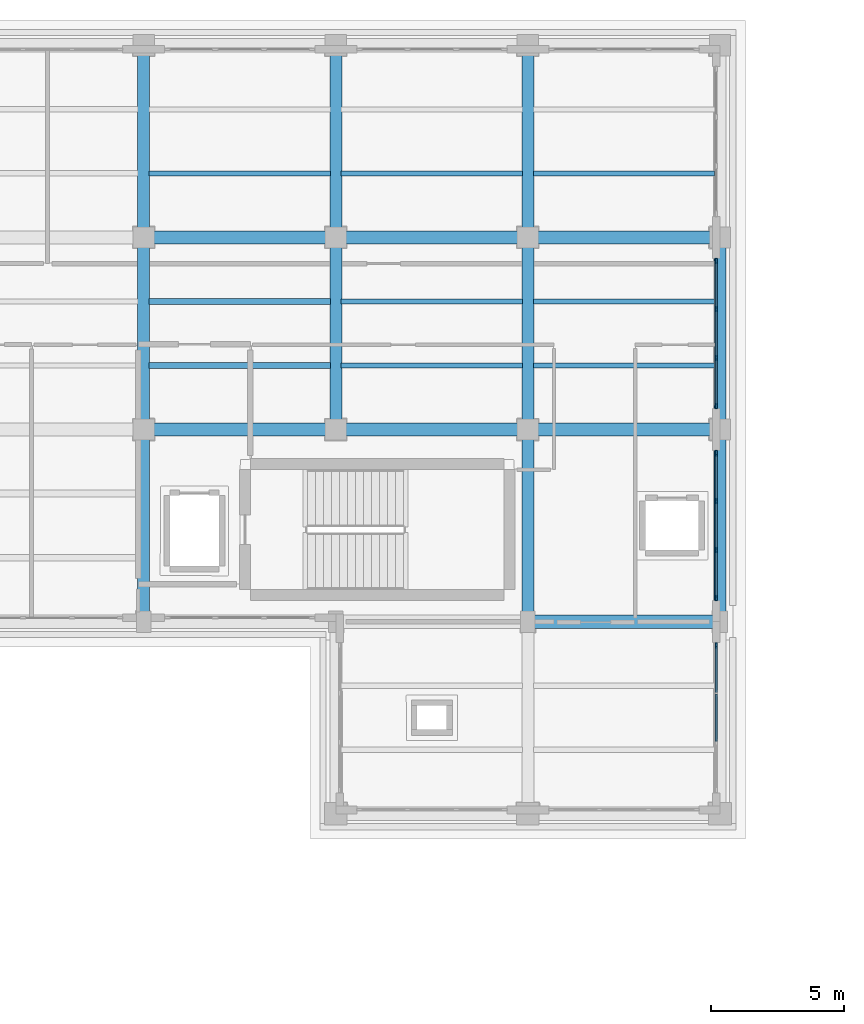
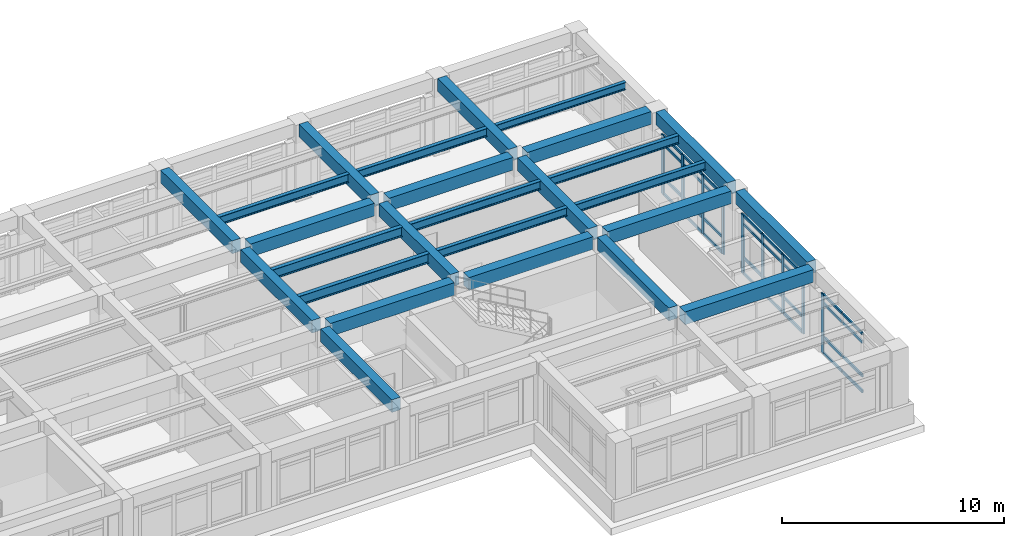
# One storey, part 61 of 98: 41 members, 26 beams, 3 elements without a shape of their own.
"""IFC4 building model written with IfcOpenShell, lengths in metres."""

from ifc_helpers import new_model, si_unit, direction, frame, origin, origin_2d, place, context, subcontext, project, spatial, rectangle, i_section, extrude, material, layer, layer_set, material_profile, profile_set, type_object, element, aggregate, save


model = new_model("IFC4")

# Units and contexts
model_context = context("Model", 3, precision=1e-05, world=origin(), true_north=direction((0.0, 1.0)))
body_context = subcontext(model_context, "Body", "Model", "MODEL_VIEW")
ifc_project = project(units=[si_unit("LENGTHUNIT", "METRE"), si_unit("AREAUNIT", "SQUARE_METRE"), si_unit("VOLUMEUNIT", "CUBIC_METRE"), si_unit("PLANEANGLEUNIT", "RADIAN"), si_unit("MASSUNIT", "GRAM", prefix="KILO")], contexts=[model_context])

# Site, building, storey
site_placement = place(None, origin())
site = spatial("IfcSite", under=ifc_project, at=site_placement, CompositionType="ELEMENT")
building_placement = place(site_placement, origin())
building = spatial("IfcBuilding", under=site, at=building_placement, Name="Solenvale Faculty of Natural Sciences", CompositionType="ELEMENT")
storey_placement = place(building_placement, frame((0.0, 0.0, 9.0)))
storey = spatial("IfcBuildingStorey", under=building, at=storey_placement, Name="L02", CompositionType="ELEMENT", Elevation=9.0)

# Beams
ifc_material_1 = material(Name="Concrete 40 MPa", Category="concrete")
ifc_material_profile_1 = material_profile(ifc_material_1, rectangle(XDim=0.449951171875, YDim=0.699951171875, at=origin_2d()), Name="RC-BM-450x700")
ifc_profile_set_1 = profile_set([ifc_material_profile_1], Name="Concrete 40 MPa")
beam_type_1 = type_object("IfcBeamType", Name="BM-RC-450x700", PredefinedType="BEAM", material=ifc_profile_set_1)
beam_1_placement = place(storey_placement, frame((129.60009765625, 93.97998046875, 3.8701171875), z_axis=(0.0, 1.0, 0.0), x_axis=(-1.0, 0.0, 0.0)))
element("IfcBeam", 1, at=beam_1_placement, inside=storey, type_object=beam_type_1, Name="L02 Y-Girder X129.6 (93.6..100.8)", PredefinedType="BEAM", context=body_context, shape_type="SweptSolid", body=[
    extrude(rectangle(XDim=0.449951171875, YDim=0.699951171875, at=origin_2d()), origin(), (0.0, 0.0, 1.0), 6.43994140625),
])
for number, where, z_axis, x_axis, name in (
    (2, (129.60009765625, 101.179931640625, 3.8701171875), (0.0, 1.0, 0.0), (-1.0, 0.0, 0.0), "L02 Y-Girder X129.6 (100.8..108.0)"),
    (3, (129.60009765625, 108.3798828125, 3.8701171875), (0.0, 1.0, 0.0), (-1.0, 0.0, 0.0), "L02 Y-Girder X129.6 (108.0..115.2)"),
    (4, (136.800048828125, 101.179931640625, 3.8701171875), (0.0, 1.0, 0.0), (-1.0, 0.0, 0.0), "L02 Y-Girder X136.8 (100.8..108.0)"),
    (5, (136.800048828125, 108.3798828125, 3.8701171875), (0.0, 1.0, 0.0), (-1.0, 0.0, 0.0), "L02 Y-Girder X136.8 (108.0..115.2)"),
):
    element("IfcBeam", number, at=place(storey_placement, frame(where, z_axis=z_axis, x_axis=x_axis)), inside=storey, type_object=beam_type_1, Name=name, PredefinedType="BEAM", context=body_context, shape_type="SweptSolid", body=[
        extrude(rectangle(XDim=0.449951171875, YDim=0.699951171875, at=origin_2d()), origin(), (0.0, 0.0, 1.0), 6.440185546875),
    ])
beam_2_placement = place(storey_placement, frame((144.0, 93.97998046875, 3.8701171875), z_axis=(0.0, 1.0, 0.0), x_axis=(-1.0, 0.0, 0.0)))
element("IfcBeam", 6, at=beam_2_placement, inside=storey, type_object=beam_type_1, Name="L02 Y-Girder X144.0 (93.6..100.8)", PredefinedType="BEAM", context=body_context, shape_type="SweptSolid", body=[
    extrude(rectangle(XDim=0.449951171875, YDim=0.699951171875, at=origin_2d()), origin(), (0.0, 0.0, 1.0), 6.43994140625),
])
for number, where, z_axis, x_axis, name in (
    (7, (144.0, 101.179931640625, 3.8701171875), (0.0, 1.0, 0.0), (-1.0, 0.0, 0.0), "L02 Y-Girder X144.0 (100.8..108.0)"),
    (8, (144.0, 108.3798828125, 3.8701171875), (0.0, 1.0, 0.0), (-1.0, 0.0, 0.0), "L02 Y-Girder X144.0 (108.0..115.2)"),
):
    element("IfcBeam", number, at=place(storey_placement, frame(where, z_axis=z_axis, x_axis=x_axis)), inside=storey, type_object=beam_type_1, Name=name, PredefinedType="BEAM", context=body_context, shape_type="SweptSolid", body=[
        extrude(rectangle(XDim=0.449951171875, YDim=0.699951171875, at=origin_2d()), origin(), (0.0, 0.0, 1.0), 6.440185546875),
    ])
beam_3_placement = place(storey_placement, frame((151.199951171875, 93.97998046875, 3.8701171875), z_axis=(0.0, 1.0, 0.0), x_axis=(-1.0, 0.0, 0.0)))
element("IfcBeam", 9, at=beam_3_placement, inside=storey, type_object=beam_type_1, Name="L02 Y-Girder X151.2 (93.6..100.8)", PredefinedType="BEAM", context=body_context, shape_type="SweptSolid", body=[
    extrude(rectangle(XDim=0.449951171875, YDim=0.699951171875, at=origin_2d()), origin(), (0.0, 0.0, 1.0), 6.43994140625),
])
beam_4_placement = place(storey_placement, frame((151.199951171875, 101.179931640625, 3.8701171875), z_axis=(0.0, 1.0, 0.0), x_axis=(-1.0, 0.0, 0.0)))
element("IfcBeam", 10, at=beam_4_placement, inside=storey, type_object=beam_type_1, Name="L02 Y-Girder X151.2 (100.8..108.0)", PredefinedType="BEAM", context=body_context, shape_type="SweptSolid", body=[
    extrude(rectangle(XDim=0.449951171875, YDim=0.699951171875, at=origin_2d()), origin(), (0.0, 0.0, 1.0), 6.440185546875),
])
ifc_material_profile_2 = material_profile(ifc_material_1, rectangle(XDim=0.5, YDim=0.699951171875, at=origin_2d()), Name="RC-BM-500x700")
ifc_profile_set_2 = profile_set([ifc_material_profile_2], Name="Concrete 40 MPa")
beam_type_2 = type_object("IfcBeamType", Name="BM-RC-500x700", PredefinedType="BEAM", material=ifc_profile_set_2)
beam_5_placement = place(storey_placement, frame((144.2548828125, 93.60009765625, 3.8701171875), z_axis=(1.0, 0.0, 0.0), x_axis=(0.0, 1.0, 0.0)))
element("IfcBeam", 11, at=beam_5_placement, inside=storey, type_object=beam_type_2, Name="L02 X-Girder Y93.6 (144.0..151.2)", PredefinedType="BEAM", context=body_context, shape_type="SweptSolid", body=[
    extrude(rectangle(XDim=0.5, YDim=0.699951171875, at=origin_2d()), origin(), (0.0, 0.0, 1.0), 6.690185546875),
])
beam_6_placement = place(storey_placement, frame((129.97998046875, 100.800048828125, 3.8701171875), z_axis=(1.0, 0.0, 0.0), x_axis=(0.0, 1.0, 0.0)))
element("IfcBeam", 12, at=beam_6_placement, inside=storey, type_object=beam_type_2, Name="L02 X-Girder Y100.8 (129.6..136.8)", PredefinedType="BEAM", context=body_context, shape_type="SweptSolid", body=[
    extrude(rectangle(XDim=0.5, YDim=0.699951171875, at=origin_2d()), origin(), (0.0, 0.0, 1.0), 6.43994140625),
])
for number, where, z_axis, x_axis, name in (
    (13, (137.179931640625, 100.800048828125, 3.8701171875), (1.0, 0.0, 0.0), (0.0, 1.0, 0.0), "L02 X-Girder Y100.8 (136.8..144.0)"),
    (14, (144.3798828125, 100.800048828125, 3.8701171875), (1.0, 0.0, 0.0), (0.0, 1.0, 0.0), "L02 X-Girder Y100.8 (144.0..151.2)"),
):
    element("IfcBeam", number, at=place(storey_placement, frame(where, z_axis=z_axis, x_axis=x_axis)), inside=storey, type_object=beam_type_2, Name=name, PredefinedType="BEAM", context=body_context, shape_type="SweptSolid", body=[
        extrude(rectangle(XDim=0.5, YDim=0.699951171875, at=origin_2d()), origin(), (0.0, 0.0, 1.0), 6.440185546875),
    ])
beam_7_placement = place(storey_placement, frame((129.97998046875, 108.0, 3.8701171875), z_axis=(1.0, 0.0, 0.0), x_axis=(0.0, 1.0, 0.0)))
element("IfcBeam", 15, at=beam_7_placement, inside=storey, type_object=beam_type_2, Name="L02 X-Girder Y108.0 (129.6..136.8)", PredefinedType="BEAM", context=body_context, shape_type="SweptSolid", body=[
    extrude(rectangle(XDim=0.5, YDim=0.699951171875, at=origin_2d()), origin(), (0.0, 0.0, 1.0), 6.43994140625),
])
for number, where, z_axis, x_axis, name in (
    (16, (137.179931640625, 108.0, 3.8701171875), (1.0, 0.0, 0.0), (0.0, 1.0, 0.0), "L02 X-Girder Y108.0 (136.8..144.0)"),
    (17, (144.3798828125, 108.0, 3.8701171875), (1.0, 0.0, 0.0), (0.0, 1.0, 0.0), "L02 X-Girder Y108.0 (144.0..151.2)"),
):
    element("IfcBeam", number, at=place(storey_placement, frame(where, z_axis=z_axis, x_axis=x_axis)), inside=storey, type_object=beam_type_2, Name=name, PredefinedType="BEAM", context=body_context, shape_type="SweptSolid", body=[
        extrude(rectangle(XDim=0.5, YDim=0.699951171875, at=origin_2d()), origin(), (0.0, 0.0, 1.0), 6.440185546875),
    ])
ifc_material_2 = material(Name="Steel S355", Category="steel")
ifc_material_profile_3 = material_profile(ifc_material_2, i_section(OverallWidth=0.180908203125, OverallDepth=0.4169921875, WebThickness=0.010986328125, FlangeThickness=0.018310546875, FilletRadius=0.01611328125, at=origin_2d()), Name="W410x85")
ifc_profile_set_3 = profile_set([ifc_material_profile_3], Name="Steel S355")
beam_type_3 = type_object("IfcBeamType", Name="BM-STL-W410x85", PredefinedType="JOIST", material=ifc_profile_set_3)
beam_8_placement = place(storey_placement, frame((144.205078125, 110.39990234375, 4.011474609375), z_axis=(1.0, 0.0, 0.0), x_axis=(0.0, 1.0, 0.0)))
element("IfcBeam", 18, at=beam_8_placement, inside=storey, type_object=beam_type_3, Name="L02 Composite Floor Joist (21,16).1", PredefinedType="JOIST", context=body_context, shape_type="SweptSolid", body=[
    extrude(i_section(OverallWidth=0.180908203125, OverallDepth=0.4169921875, WebThickness=0.010986328125, FlangeThickness=0.018310546875, FilletRadius=0.01611328125, at=origin_2d()), origin(), (0.0, 0.0, 1.0), 6.7900390625),
])
ifc_material_profile_4 = material_profile(ifc_material_2, i_section(OverallWidth=0.194091796875, OverallDepth=0.468994140625, WebThickness=0.0126953125, FlangeThickness=0.0205078125, FilletRadius=0.01806640625, at=origin_2d()), Name="W460x106")
ifc_profile_set_4 = profile_set([ifc_material_profile_4], Name="Steel S355")
beam_type_4 = type_object("IfcBeamType", Name="BM-STL-W460x106", PredefinedType="JOIST", material=ifc_profile_set_4)
for number, where, z_axis, x_axis, name in (
    (19, (129.804931640625, 110.39990234375, 3.985595703125), (1.0, 0.0, 0.0), (0.0, 1.0, 0.0), "L02 Composite Floor Joist (19,16).1"),
    (20, (137.0048828125, 103.199951171875, 3.985595703125), (1.0, 0.0, 0.0), (0.0, 1.0, 0.0), "L02 Composite Floor Joist (20,15).1"),
    (21, (137.0048828125, 105.60009765625, 3.985595703125), (1.0, 0.0, 0.0), (0.0, 1.0, 0.0), "L02 Composite Floor Joist (20,15).2"),
):
    element("IfcBeam", number, at=place(storey_placement, frame(where, z_axis=z_axis, x_axis=x_axis)), inside=storey, type_object=beam_type_4, Name=name, PredefinedType="JOIST", context=body_context, shape_type="SweptSolid", body=[
        extrude(i_section(OverallWidth=0.194091796875, OverallDepth=0.468994140625, WebThickness=0.0126953125, FlangeThickness=0.0205078125, FilletRadius=0.01806640625, at=origin_2d()), origin(), (0.0, 0.0, 1.0), 6.7900390625),
    ])
ifc_material_profile_5 = material_profile(ifc_material_2, i_section(OverallWidth=0.19091796875, OverallDepth=0.4599609375, WebThickness=0.010009765625, FlangeThickness=0.01611328125, FilletRadius=0.01806640625, at=origin_2d()), Name="W460x82")
ifc_profile_set_5 = profile_set([ifc_material_profile_5], Name="Steel S355")
beam_type_5 = type_object("IfcBeamType", Name="BM-STL-W460x82", PredefinedType="JOIST", material=ifc_profile_set_5)
for number, where, z_axis, x_axis, name in (
    (22, (137.0048828125, 110.39990234375, 3.989990234375), (1.0, 0.0, 0.0), (0.0, 1.0, 0.0), "L02 Composite Floor Joist (20,16).1"),
    (23, (144.205078125, 103.199951171875, 3.989990234375), (1.0, 0.0, 0.0), (0.0, 1.0, 0.0), "L02 Composite Floor Joist (21,15).1"),
    (24, (144.205078125, 105.60009765625, 3.989990234375), (1.0, 0.0, 0.0), (0.0, 1.0, 0.0), "L02 Composite Floor Joist (21,15).2"),
):
    element("IfcBeam", number, at=place(storey_placement, frame(where, z_axis=z_axis, x_axis=x_axis)), inside=storey, type_object=beam_type_5, Name=name, PredefinedType="JOIST", context=body_context, shape_type="SweptSolid", body=[
        extrude(i_section(OverallWidth=0.19091796875, OverallDepth=0.4599609375, WebThickness=0.010009765625, FlangeThickness=0.01611328125, FilletRadius=0.01806640625, at=origin_2d()), origin(), (0.0, 0.0, 1.0), 6.7900390625),
    ])
ifc_material_profile_6 = material_profile(ifc_material_2, i_section(OverallWidth=0.208984375, OverallDepth=0.532958984375, WebThickness=0.01025390625, FlangeThickness=0.015625, FilletRadius=0.01904296875, at=origin_2d()), Name="W530x92")
ifc_profile_set_6 = profile_set([ifc_material_profile_6], Name="Steel S355")
beam_type_6 = type_object("IfcBeamType", Name="BM-STL-W530x92", PredefinedType="JOIST", material=ifc_profile_set_6)
for number, where, z_axis, x_axis, name in (
    (25, (129.804931640625, 103.199951171875, 3.95361328125), (1.0, 0.0, 0.0), (0.0, 1.0, 0.0), "L02 Composite Floor Joist (19,15).1"),
    (26, (129.804931640625, 105.60009765625, 3.95361328125), (1.0, 0.0, 0.0), (0.0, 1.0, 0.0), "L02 Composite Floor Joist (19,15).2"),
):
    element("IfcBeam", number, at=place(storey_placement, frame(where, z_axis=z_axis, x_axis=x_axis)), inside=storey, type_object=beam_type_6, Name=name, PredefinedType="JOIST", context=body_context, shape_type="SweptSolid", body=[
        extrude(i_section(OverallWidth=0.208984375, OverallDepth=0.532958984375, WebThickness=0.01025390625, FlangeThickness=0.015625, FilletRadius=0.01904296875, at=origin_2d()), origin(), (0.0, 0.0, 1.0), 6.7900390625),
    ])

# Curtain wall, member
ifc_material_3 = material(Name="Anodised bronze aluminium", Category="aluminium")
ifc_layer = layer(ifc_material_3, 0.179931640625)
ifc_layer_set = layer_set([ifc_layer], Name="Anodised bronze aluminium")
curtain_wall_type = type_object("IfcCurtainWallType", Name="CW-TWR-MOD", PredefinedType="USERDEFINED", material=ifc_layer_set)
curtain_wall_1_placement = place(storey_placement, origin())
curtain_wall_1 = element("IfcCurtainWall", 27, at=curtain_wall_1_placement, inside=storey, type_object=curtain_wall_type, Name="L02 Curtain Wall CW-L02-P2-E2-B1", ObjectType="UNITISED CURTAIN WALL", PredefinedType="USERDEFINED")
ifc_material_profile_7 = material_profile(ifc_material_3, rectangle(XDim=0.074951171875, YDim=0.2099609375, at=origin_2d()), Name="ALU-MUL-75x210")
ifc_profile_set_7 = profile_set([ifc_material_profile_7], Name="Anodised bronze aluminium")
member_type_1 = type_object("IfcMemberType", Name="CWM-ALU-75x210", PredefinedType="MULLION", material=ifc_profile_set_7)
member_1_placement = place(storey_placement, frame((151.0576171875, 92.71240234375, 0.0), z_axis=(0.0, 0.0, 1.0), x_axis=(-1.0, 0.0, 0.0)))
member_1 = element("IfcMember", 28, at=member_1_placement, type_object=member_type_1, Name="CW-04 mullion 4", PredefinedType="MULLION", context=body_context, shape_type="SweptSolid", body=[
    extrude(rectangle(XDim=0.074951171875, YDim=0.2099609375, at=origin_2d()), origin(), (0.0, 0.0, 1.0), 3.260009765625),
])

# Curtain wall, members
curtain_wall_2_placement = place(storey_placement, origin())
curtain_wall_2 = element("IfcCurtainWall", 29, at=curtain_wall_2_placement, inside=storey, type_object=curtain_wall_type, Name="L02 Curtain Wall CW-L02-P2-E3-B1", ObjectType="UNITISED CURTAIN WALL", PredefinedType="USERDEFINED")
member_2_placement = place(storey_placement, frame((151.0576171875, 94.487548828125, 0.0), z_axis=(0.0, 0.0, 1.0), x_axis=(-1.0, 0.0, 0.0)))
member_2 = element("IfcMember", 30, at=member_2_placement, type_object=member_type_1, Name="CW-04 mullion 1", PredefinedType="MULLION", context=body_context, shape_type="SweptSolid", body=[
    extrude(rectangle(XDim=0.074951171875, YDim=0.2099609375, at=origin_2d()), origin(), (0.0, 0.0, 1.0), 3.260009765625),
])
member_3_placement = place(storey_placement, frame((151.0576171875, 96.283447265625, 0.0), z_axis=(0.0, 0.0, 1.0), x_axis=(-1.0, 0.0, 0.0)))
member_3 = element("IfcMember", 31, at=member_3_placement, type_object=member_type_1, Name="CW-04 mullion 2", PredefinedType="MULLION", context=body_context, shape_type="SweptSolid", body=[
    extrude(rectangle(XDim=0.074951171875, YDim=0.2099609375, at=origin_2d()), origin(), (0.0, 0.0, 1.0), 3.260009765625),
])
member_4_placement = place(storey_placement, frame((151.0576171875, 98.11669921875, 0.0), z_axis=(0.0, 0.0, 1.0), x_axis=(-1.0, 0.0, 0.0)))
member_4 = element("IfcMember", 32, at=member_4_placement, type_object=member_type_1, Name="CW-04 mullion 3", PredefinedType="MULLION", context=body_context, shape_type="SweptSolid", body=[
    extrude(rectangle(XDim=0.074951171875, YDim=0.2099609375, at=origin_2d()), origin(), (0.0, 0.0, 1.0), 3.260009765625),
])
member_5_placement = place(storey_placement, frame((151.0576171875, 99.91259765625, 0.0), z_axis=(0.0, 0.0, 1.0), x_axis=(-1.0, 0.0, 0.0)))
member_5 = element("IfcMember", 33, at=member_5_placement, type_object=member_type_1, Name="CW-04 mullion 4", PredefinedType="MULLION", context=body_context, shape_type="SweptSolid", body=[
    extrude(rectangle(XDim=0.074951171875, YDim=0.2099609375, at=origin_2d()), origin(), (0.0, 0.0, 1.0), 3.260009765625),
])

curtain_wall_3_placement = place(storey_placement, origin())
curtain_wall_3 = element("IfcCurtainWall", 34, at=curtain_wall_3_placement, inside=storey, type_object=curtain_wall_type, Name="L02 Curtain Wall CW-L02-P2-E3-B2", ObjectType="UNITISED CURTAIN WALL", PredefinedType="USERDEFINED")
member_6_placement = place(storey_placement, frame((151.0576171875, 101.6875, 0.0), z_axis=(0.0, 0.0, 1.0), x_axis=(-1.0, 0.0, 0.0)))
member_6 = element("IfcMember", 35, at=member_6_placement, type_object=member_type_1, Name="CW-04 mullion 1", PredefinedType="MULLION", context=body_context, shape_type="SweptSolid", body=[
    extrude(rectangle(XDim=0.074951171875, YDim=0.2099609375, at=origin_2d()), origin(), (0.0, 0.0, 1.0), 3.260009765625),
])
member_7_placement = place(storey_placement, frame((151.0576171875, 103.4833984375, 0.0), z_axis=(0.0, 0.0, 1.0), x_axis=(-1.0, 0.0, 0.0)))
member_7 = element("IfcMember", 36, at=member_7_placement, type_object=member_type_1, Name="CW-04 mullion 2", PredefinedType="MULLION", context=body_context, shape_type="SweptSolid", body=[
    extrude(rectangle(XDim=0.074951171875, YDim=0.2099609375, at=origin_2d()), origin(), (0.0, 0.0, 1.0), 3.260009765625),
])
member_8_placement = place(storey_placement, frame((151.0576171875, 105.316650390625, 0.0), z_axis=(0.0, 0.0, 1.0), x_axis=(-1.0, 0.0, 0.0)))
member_8 = element("IfcMember", 37, at=member_8_placement, type_object=member_type_1, Name="CW-04 mullion 3", PredefinedType="MULLION", context=body_context, shape_type="SweptSolid", body=[
    extrude(rectangle(XDim=0.074951171875, YDim=0.2099609375, at=origin_2d()), origin(), (0.0, 0.0, 1.0), 3.260009765625),
])
member_9_placement = place(storey_placement, frame((151.0576171875, 107.112548828125, 0.0), z_axis=(0.0, 0.0, 1.0), x_axis=(-1.0, 0.0, 0.0)))
member_9 = element("IfcMember", 38, at=member_9_placement, type_object=member_type_1, Name="CW-04 mullion 4", PredefinedType="MULLION", context=body_context, shape_type="SweptSolid", body=[
    extrude(rectangle(XDim=0.074951171875, YDim=0.2099609375, at=origin_2d()), origin(), (0.0, 0.0, 1.0), 3.260009765625),
])

# Member
ifc_material_profile_8 = material_profile(ifc_material_3, rectangle(XDim=0.074951171875, YDim=0.155029296875, at=origin_2d()), Name="ALU-TRN-75x155")
ifc_profile_set_8 = profile_set([ifc_material_profile_8], Name="Anodised bronze aluminium")
member_type_2 = type_object("IfcMemberType", Name="CWT-ALU-75x155", PredefinedType="USERDEFINED", material=ifc_profile_set_8)
member_10_placement = place(storey_placement, frame((151.0576171875, 89.120849609375, 0.03759765625), z_axis=(0.0, 1.0, 0.0), x_axis=(-1.0, 0.0, 0.0)))
member_10 = element("IfcMember", 39, at=member_10_placement, type_object=member_type_2, Name="CW-04 transom 2.1", ObjectType="TRANSOM", PredefinedType="USERDEFINED", context=body_context, shape_type="SweptSolid", body=[
    extrude(rectangle(XDim=0.074951171875, YDim=0.155029296875, at=origin_2d()), origin(), (0.0, 0.0, 1.0), 1.75830078125),
])

member_11_placement = place(storey_placement, frame((151.0576171875, 89.120849609375, 0.89990234375), z_axis=(0.0, 1.0, 0.0), x_axis=(-1.0, 0.0, 0.0)))
member_11 = element("IfcMember", 40, at=member_11_placement, type_object=member_type_2, Name="CW-04 transom 2.2", ObjectType="TRANSOM", PredefinedType="USERDEFINED", context=body_context, shape_type="SweptSolid", body=[
    extrude(rectangle(XDim=0.074951171875, YDim=0.155029296875, at=origin_2d()), origin(), (0.0, 0.0, 1.0), 1.75830078125),
])

member_12_placement = place(storey_placement, frame((151.0576171875, 89.120849609375, 2.760009765625), z_axis=(0.0, 1.0, 0.0), x_axis=(-1.0, 0.0, 0.0)))
member_12 = element("IfcMember", 41, at=member_12_placement, type_object=member_type_2, Name="CW-04 transom 2.3", ObjectType="TRANSOM", PredefinedType="USERDEFINED", context=body_context, shape_type="SweptSolid", body=[
    extrude(rectangle(XDim=0.074951171875, YDim=0.155029296875, at=origin_2d()), origin(), (0.0, 0.0, 1.0), 1.75830078125),
])

member_13_placement = place(storey_placement, frame((151.0576171875, 89.120849609375, 3.222412109375), z_axis=(0.0, 1.0, 0.0), x_axis=(-1.0, 0.0, 0.0)))
member_13 = element("IfcMember", 42, at=member_13_placement, type_object=member_type_2, Name="CW-04 transom 2.4", ObjectType="TRANSOM", PredefinedType="USERDEFINED", context=body_context, shape_type="SweptSolid", body=[
    extrude(rectangle(XDim=0.074951171875, YDim=0.155029296875, at=origin_2d()), origin(), (0.0, 0.0, 1.0), 1.75830078125),
])

member_14_placement = place(storey_placement, frame((151.0576171875, 90.9541015625, 0.03759765625), z_axis=(0.0, 1.0, 0.0), x_axis=(-1.0, 0.0, 0.0)))
member_14 = element("IfcMember", 43, at=member_14_placement, type_object=member_type_2, Name="CW-04 transom 3.1", ObjectType="TRANSOM", PredefinedType="USERDEFINED", context=body_context, shape_type="SweptSolid", body=[
    extrude(rectangle(XDim=0.074951171875, YDim=0.155029296875, at=origin_2d()), origin(), (0.0, 0.0, 1.0), 1.720947265625),
])

member_15_placement = place(storey_placement, frame((151.0576171875, 90.9541015625, 0.89990234375), z_axis=(0.0, 1.0, 0.0), x_axis=(-1.0, 0.0, 0.0)))
member_15 = element("IfcMember", 44, at=member_15_placement, type_object=member_type_2, Name="CW-04 transom 3.2", ObjectType="TRANSOM", PredefinedType="USERDEFINED", context=body_context, shape_type="SweptSolid", body=[
    extrude(rectangle(XDim=0.074951171875, YDim=0.155029296875, at=origin_2d()), origin(), (0.0, 0.0, 1.0), 1.720947265625),
])

member_16_placement = place(storey_placement, frame((151.0576171875, 90.9541015625, 2.760009765625), z_axis=(0.0, 1.0, 0.0), x_axis=(-1.0, 0.0, 0.0)))
member_16 = element("IfcMember", 45, at=member_16_placement, type_object=member_type_2, Name="CW-04 transom 3.3", ObjectType="TRANSOM", PredefinedType="USERDEFINED", context=body_context, shape_type="SweptSolid", body=[
    extrude(rectangle(XDim=0.074951171875, YDim=0.155029296875, at=origin_2d()), origin(), (0.0, 0.0, 1.0), 1.720947265625),
])

member_17_placement = place(storey_placement, frame((151.0576171875, 90.9541015625, 3.222412109375), z_axis=(0.0, 1.0, 0.0), x_axis=(-1.0, 0.0, 0.0)))
member_17 = element("IfcMember", 46, at=member_17_placement, type_object=member_type_2, Name="CW-04 transom 3.4", ObjectType="TRANSOM", PredefinedType="USERDEFINED", context=body_context, shape_type="SweptSolid", body=[
    extrude(rectangle(XDim=0.074951171875, YDim=0.155029296875, at=origin_2d()), origin(), (0.0, 0.0, 1.0), 1.720947265625),
])

aggregate(curtain_wall_1, [member_1, member_10, member_11, member_12, member_13, member_14, member_15, member_16, member_17])

member_18_placement = place(storey_placement, frame((151.0576171875, 94.52490234375, 0.03759765625), z_axis=(0.0, 1.0, 0.0), x_axis=(-1.0, 0.0, 0.0)))
member_18 = element("IfcMember", 47, at=member_18_placement, type_object=member_type_2, Name="CW-04 transom 1.1", ObjectType="TRANSOM", PredefinedType="USERDEFINED", context=body_context, shape_type="SweptSolid", body=[
    extrude(rectangle(XDim=0.074951171875, YDim=0.155029296875, at=origin_2d()), origin(), (0.0, 0.0, 1.0), 1.720947265625),
])

member_19_placement = place(storey_placement, frame((151.0576171875, 94.52490234375, 0.89990234375), z_axis=(0.0, 1.0, 0.0), x_axis=(-1.0, 0.0, 0.0)))
member_19 = element("IfcMember", 48, at=member_19_placement, type_object=member_type_2, Name="CW-04 transom 1.2", ObjectType="TRANSOM", PredefinedType="USERDEFINED", context=body_context, shape_type="SweptSolid", body=[
    extrude(rectangle(XDim=0.074951171875, YDim=0.155029296875, at=origin_2d()), origin(), (0.0, 0.0, 1.0), 1.720947265625),
])

member_20_placement = place(storey_placement, frame((151.0576171875, 94.52490234375, 2.760009765625), z_axis=(0.0, 1.0, 0.0), x_axis=(-1.0, 0.0, 0.0)))
member_20 = element("IfcMember", 49, at=member_20_placement, type_object=member_type_2, Name="CW-04 transom 1.3", ObjectType="TRANSOM", PredefinedType="USERDEFINED", context=body_context, shape_type="SweptSolid", body=[
    extrude(rectangle(XDim=0.074951171875, YDim=0.155029296875, at=origin_2d()), origin(), (0.0, 0.0, 1.0), 1.720947265625),
])

member_21_placement = place(storey_placement, frame((151.0576171875, 94.52490234375, 3.222412109375), z_axis=(0.0, 1.0, 0.0), x_axis=(-1.0, 0.0, 0.0)))
member_21 = element("IfcMember", 50, at=member_21_placement, type_object=member_type_2, Name="CW-04 transom 1.4", ObjectType="TRANSOM", PredefinedType="USERDEFINED", context=body_context, shape_type="SweptSolid", body=[
    extrude(rectangle(XDim=0.074951171875, YDim=0.155029296875, at=origin_2d()), origin(), (0.0, 0.0, 1.0), 1.720947265625),
])

member_22_placement = place(storey_placement, frame((151.0576171875, 96.32080078125, 0.03759765625), z_axis=(0.0, 1.0, 0.0), x_axis=(-1.0, 0.0, 0.0)))
member_22 = element("IfcMember", 51, at=member_22_placement, type_object=member_type_2, Name="CW-04 transom 2.1", ObjectType="TRANSOM", PredefinedType="USERDEFINED", context=body_context, shape_type="SweptSolid", body=[
    extrude(rectangle(XDim=0.074951171875, YDim=0.155029296875, at=origin_2d()), origin(), (0.0, 0.0, 1.0), 1.75830078125),
])

member_23_placement = place(storey_placement, frame((151.0576171875, 96.32080078125, 0.89990234375), z_axis=(0.0, 1.0, 0.0), x_axis=(-1.0, 0.0, 0.0)))
member_23 = element("IfcMember", 52, at=member_23_placement, type_object=member_type_2, Name="CW-04 transom 2.2", ObjectType="TRANSOM", PredefinedType="USERDEFINED", context=body_context, shape_type="SweptSolid", body=[
    extrude(rectangle(XDim=0.074951171875, YDim=0.155029296875, at=origin_2d()), origin(), (0.0, 0.0, 1.0), 1.75830078125),
])

member_24_placement = place(storey_placement, frame((151.0576171875, 96.32080078125, 2.760009765625), z_axis=(0.0, 1.0, 0.0), x_axis=(-1.0, 0.0, 0.0)))
member_24 = element("IfcMember", 53, at=member_24_placement, type_object=member_type_2, Name="CW-04 transom 2.3", ObjectType="TRANSOM", PredefinedType="USERDEFINED", context=body_context, shape_type="SweptSolid", body=[
    extrude(rectangle(XDim=0.074951171875, YDim=0.155029296875, at=origin_2d()), origin(), (0.0, 0.0, 1.0), 1.75830078125),
])

member_25_placement = place(storey_placement, frame((151.0576171875, 96.32080078125, 3.222412109375), z_axis=(0.0, 1.0, 0.0), x_axis=(-1.0, 0.0, 0.0)))
member_25 = element("IfcMember", 54, at=member_25_placement, type_object=member_type_2, Name="CW-04 transom 2.4", ObjectType="TRANSOM", PredefinedType="USERDEFINED", context=body_context, shape_type="SweptSolid", body=[
    extrude(rectangle(XDim=0.074951171875, YDim=0.155029296875, at=origin_2d()), origin(), (0.0, 0.0, 1.0), 1.75830078125),
])

member_26_placement = place(storey_placement, frame((151.0576171875, 98.154052734375, 0.03759765625), z_axis=(0.0, 1.0, 0.0), x_axis=(-1.0, 0.0, 0.0)))
member_26 = element("IfcMember", 55, at=member_26_placement, type_object=member_type_2, Name="CW-04 transom 3.1", ObjectType="TRANSOM", PredefinedType="USERDEFINED", context=body_context, shape_type="SweptSolid", body=[
    extrude(rectangle(XDim=0.074951171875, YDim=0.155029296875, at=origin_2d()), origin(), (0.0, 0.0, 1.0), 1.720947265625),
])

member_27_placement = place(storey_placement, frame((151.0576171875, 98.154052734375, 0.89990234375), z_axis=(0.0, 1.0, 0.0), x_axis=(-1.0, 0.0, 0.0)))
member_27 = element("IfcMember", 56, at=member_27_placement, type_object=member_type_2, Name="CW-04 transom 3.2", ObjectType="TRANSOM", PredefinedType="USERDEFINED", context=body_context, shape_type="SweptSolid", body=[
    extrude(rectangle(XDim=0.074951171875, YDim=0.155029296875, at=origin_2d()), origin(), (0.0, 0.0, 1.0), 1.720947265625),
])

member_28_placement = place(storey_placement, frame((151.0576171875, 98.154052734375, 2.760009765625), z_axis=(0.0, 1.0, 0.0), x_axis=(-1.0, 0.0, 0.0)))
member_28 = element("IfcMember", 57, at=member_28_placement, type_object=member_type_2, Name="CW-04 transom 3.3", ObjectType="TRANSOM", PredefinedType="USERDEFINED", context=body_context, shape_type="SweptSolid", body=[
    extrude(rectangle(XDim=0.074951171875, YDim=0.155029296875, at=origin_2d()), origin(), (0.0, 0.0, 1.0), 1.720947265625),
])

member_29_placement = place(storey_placement, frame((151.0576171875, 98.154052734375, 3.222412109375), z_axis=(0.0, 1.0, 0.0), x_axis=(-1.0, 0.0, 0.0)))
member_29 = element("IfcMember", 58, at=member_29_placement, type_object=member_type_2, Name="CW-04 transom 3.4", ObjectType="TRANSOM", PredefinedType="USERDEFINED", context=body_context, shape_type="SweptSolid", body=[
    extrude(rectangle(XDim=0.074951171875, YDim=0.155029296875, at=origin_2d()), origin(), (0.0, 0.0, 1.0), 1.720947265625),
])

aggregate(curtain_wall_2, [member_2, member_3, member_4, member_5, member_18, member_19, member_20, member_21, member_22, member_23, member_24, member_25, member_26, member_27, member_28, member_29])

member_30_placement = place(storey_placement, frame((151.0576171875, 101.72509765625, 0.03759765625), z_axis=(0.0, 1.0, 0.0), x_axis=(-1.0, 0.0, 0.0)))
member_30 = element("IfcMember", 59, at=member_30_placement, type_object=member_type_2, Name="CW-04 transom 1.1", ObjectType="TRANSOM", PredefinedType="USERDEFINED", context=body_context, shape_type="SweptSolid", body=[
    extrude(rectangle(XDim=0.074951171875, YDim=0.155029296875, at=origin_2d()), origin(), (0.0, 0.0, 1.0), 1.720703125),
])

member_31_placement = place(storey_placement, frame((151.0576171875, 101.72509765625, 0.89990234375), z_axis=(0.0, 1.0, 0.0), x_axis=(-1.0, 0.0, 0.0)))
member_31 = element("IfcMember", 60, at=member_31_placement, type_object=member_type_2, Name="CW-04 transom 1.2", ObjectType="TRANSOM", PredefinedType="USERDEFINED", context=body_context, shape_type="SweptSolid", body=[
    extrude(rectangle(XDim=0.074951171875, YDim=0.155029296875, at=origin_2d()), origin(), (0.0, 0.0, 1.0), 1.720703125),
])

member_32_placement = place(storey_placement, frame((151.0576171875, 101.72509765625, 2.760009765625), z_axis=(0.0, 1.0, 0.0), x_axis=(-1.0, 0.0, 0.0)))
member_32 = element("IfcMember", 61, at=member_32_placement, type_object=member_type_2, Name="CW-04 transom 1.3", ObjectType="TRANSOM", PredefinedType="USERDEFINED", context=body_context, shape_type="SweptSolid", body=[
    extrude(rectangle(XDim=0.074951171875, YDim=0.155029296875, at=origin_2d()), origin(), (0.0, 0.0, 1.0), 1.720703125),
])

member_33_placement = place(storey_placement, frame((151.0576171875, 101.72509765625, 3.222412109375), z_axis=(0.0, 1.0, 0.0), x_axis=(-1.0, 0.0, 0.0)))
member_33 = element("IfcMember", 62, at=member_33_placement, type_object=member_type_2, Name="CW-04 transom 1.4", ObjectType="TRANSOM", PredefinedType="USERDEFINED", context=body_context, shape_type="SweptSolid", body=[
    extrude(rectangle(XDim=0.074951171875, YDim=0.155029296875, at=origin_2d()), origin(), (0.0, 0.0, 1.0), 1.720703125),
])

member_34_placement = place(storey_placement, frame((151.0576171875, 103.520751953125, 0.03759765625), z_axis=(0.0, 1.0, 0.0), x_axis=(-1.0, 0.0, 0.0)))
member_34 = element("IfcMember", 63, at=member_34_placement, type_object=member_type_2, Name="CW-04 transom 2.1", ObjectType="TRANSOM", PredefinedType="USERDEFINED", context=body_context, shape_type="SweptSolid", body=[
    extrude(rectangle(XDim=0.074951171875, YDim=0.155029296875, at=origin_2d()), origin(), (0.0, 0.0, 1.0), 1.75830078125),
])

member_35_placement = place(storey_placement, frame((151.0576171875, 103.520751953125, 0.89990234375), z_axis=(0.0, 1.0, 0.0), x_axis=(-1.0, 0.0, 0.0)))
member_35 = element("IfcMember", 64, at=member_35_placement, type_object=member_type_2, Name="CW-04 transom 2.2", ObjectType="TRANSOM", PredefinedType="USERDEFINED", context=body_context, shape_type="SweptSolid", body=[
    extrude(rectangle(XDim=0.074951171875, YDim=0.155029296875, at=origin_2d()), origin(), (0.0, 0.0, 1.0), 1.75830078125),
])

member_36_placement = place(storey_placement, frame((151.0576171875, 103.520751953125, 2.760009765625), z_axis=(0.0, 1.0, 0.0), x_axis=(-1.0, 0.0, 0.0)))
member_36 = element("IfcMember", 65, at=member_36_placement, type_object=member_type_2, Name="CW-04 transom 2.3", ObjectType="TRANSOM", PredefinedType="USERDEFINED", context=body_context, shape_type="SweptSolid", body=[
    extrude(rectangle(XDim=0.074951171875, YDim=0.155029296875, at=origin_2d()), origin(), (0.0, 0.0, 1.0), 1.75830078125),
])

member_37_placement = place(storey_placement, frame((151.0576171875, 103.520751953125, 3.222412109375), z_axis=(0.0, 1.0, 0.0), x_axis=(-1.0, 0.0, 0.0)))
member_37 = element("IfcMember", 66, at=member_37_placement, type_object=member_type_2, Name="CW-04 transom 2.4", ObjectType="TRANSOM", PredefinedType="USERDEFINED", context=body_context, shape_type="SweptSolid", body=[
    extrude(rectangle(XDim=0.074951171875, YDim=0.155029296875, at=origin_2d()), origin(), (0.0, 0.0, 1.0), 1.75830078125),
])

member_38_placement = place(storey_placement, frame((151.0576171875, 105.354248046875, 0.03759765625), z_axis=(0.0, 1.0, 0.0), x_axis=(-1.0, 0.0, 0.0)))
member_38 = element("IfcMember", 67, at=member_38_placement, type_object=member_type_2, Name="CW-04 transom 3.1", ObjectType="TRANSOM", PredefinedType="USERDEFINED", context=body_context, shape_type="SweptSolid", body=[
    extrude(rectangle(XDim=0.074951171875, YDim=0.155029296875, at=origin_2d()), origin(), (0.0, 0.0, 1.0), 1.720703125),
])

member_39_placement = place(storey_placement, frame((151.0576171875, 105.354248046875, 0.89990234375), z_axis=(0.0, 1.0, 0.0), x_axis=(-1.0, 0.0, 0.0)))
member_39 = element("IfcMember", 68, at=member_39_placement, type_object=member_type_2, Name="CW-04 transom 3.2", ObjectType="TRANSOM", PredefinedType="USERDEFINED", context=body_context, shape_type="SweptSolid", body=[
    extrude(rectangle(XDim=0.074951171875, YDim=0.155029296875, at=origin_2d()), origin(), (0.0, 0.0, 1.0), 1.720703125),
])

member_40_placement = place(storey_placement, frame((151.0576171875, 105.354248046875, 2.760009765625), z_axis=(0.0, 1.0, 0.0), x_axis=(-1.0, 0.0, 0.0)))
member_40 = element("IfcMember", 69, at=member_40_placement, type_object=member_type_2, Name="CW-04 transom 3.3", ObjectType="TRANSOM", PredefinedType="USERDEFINED", context=body_context, shape_type="SweptSolid", body=[
    extrude(rectangle(XDim=0.074951171875, YDim=0.155029296875, at=origin_2d()), origin(), (0.0, 0.0, 1.0), 1.720703125),
])

member_41_placement = place(storey_placement, frame((151.0576171875, 105.354248046875, 3.222412109375), z_axis=(0.0, 1.0, 0.0), x_axis=(-1.0, 0.0, 0.0)))
member_41 = element("IfcMember", 70, at=member_41_placement, type_object=member_type_2, Name="CW-04 transom 3.4", ObjectType="TRANSOM", PredefinedType="USERDEFINED", context=body_context, shape_type="SweptSolid", body=[
    extrude(rectangle(XDim=0.074951171875, YDim=0.155029296875, at=origin_2d()), origin(), (0.0, 0.0, 1.0), 1.720703125),
])

aggregate(curtain_wall_3, [member_6, member_7, member_8, member_9, member_30, member_31, member_32, member_33, member_34, member_35, member_36, member_37, member_38, member_39, member_40, member_41])

save(model, "model.ifc")
